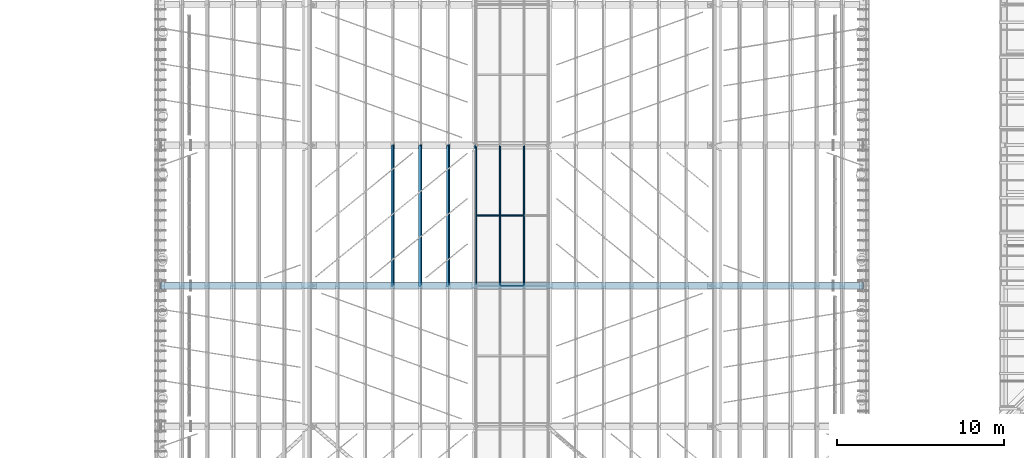
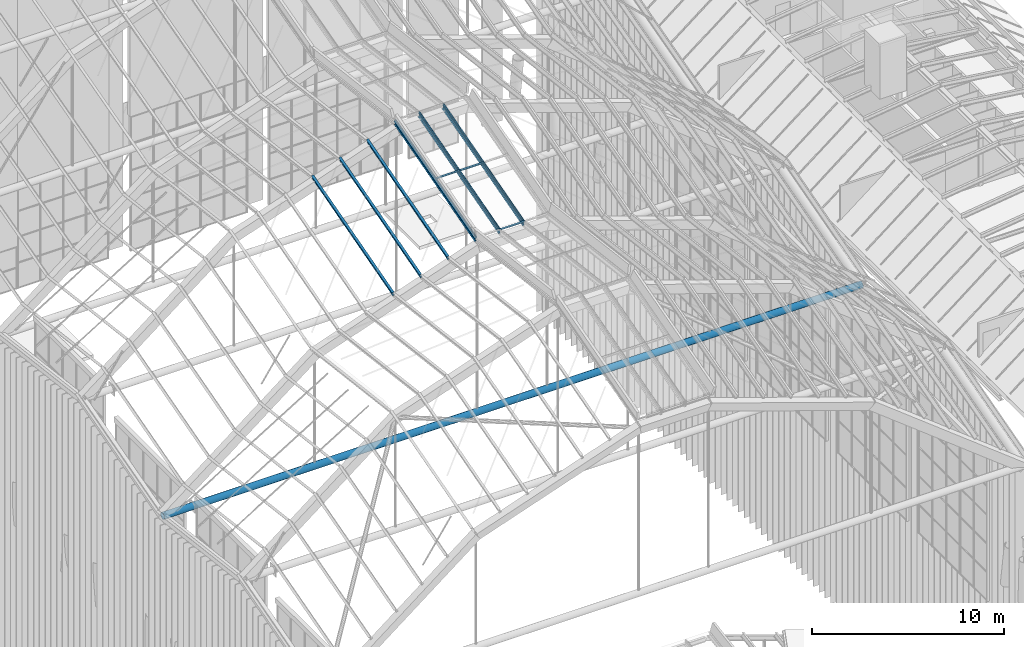
# One storey, part 25 of 126: 13 members.
"""IFC4 building model written with IfcOpenShell, lengths in metres."""

from ifc_helpers import new_model, si_unit, direction, frame, origin, origin_2d, place, context, subcontext, project, spatial, rectangle, hollow_circle, i_section, extrude, material, material_profile, profile_set, type_object, element, save


model = new_model("IFC4")

# Units and contexts
model_context = context("Model", 3, precision=1e-05, world=origin(), true_north=direction((0.0, 1.0)))
body_context = subcontext(model_context, "Body", "Model", "MODEL_VIEW")
ifc_project = project(units=[si_unit("LENGTHUNIT", "METRE"), si_unit("AREAUNIT", "SQUARE_METRE"), si_unit("VOLUMEUNIT", "CUBIC_METRE"), si_unit("PLANEANGLEUNIT", "RADIAN"), si_unit("MASSUNIT", "GRAM", prefix="KILO")], contexts=[model_context])

# Site, building, storey
site_placement = place(None, origin())
site = spatial("IfcSite", under=ifc_project, at=site_placement, CompositionType="ELEMENT")
building_placement = place(site_placement, origin())
building = spatial("IfcBuilding", under=site, at=building_placement, Name="Sava Quay Ferry Terminal", CompositionType="ELEMENT")
storey_placement = place(building_placement, frame((0.0, 0.0, 15.0)))
storey = spatial("IfcBuildingStorey", under=building, at=storey_placement, Name="L03", CompositionType="ELEMENT", Elevation=15.0)

# Members
ifc_material_1 = material(Name="Steel S355", Category="steel")
ifc_material_profile_1 = material_profile(ifc_material_1, hollow_circle(Radius=0.203125, WallThickness=0.01611328125, at=origin_2d()), Name="CHS 406.4 x 16.0")
ifc_profile_set_1 = profile_set([ifc_material_profile_1], Name="Steel S355")
member_type_1 = type_object("IfcMemberType", Name="D arch tie CHS 406.4x16", PredefinedType="USERDEFINED", material=ifc_profile_set_1)
member_1_placement = place(storey_placement, frame((42.0, 67.199951171875, 9.714111328125), z_axis=(1.0, 0.0, 0.0), x_axis=(0.0, 1.0, 0.0)))
element("IfcMember", 1, at=member_1_placement, inside=storey, type_object=member_type_1, Name="Departure hall arch tie R2", ObjectType="ARCH TIE", PredefinedType="USERDEFINED", context=body_context, shape_type="SweptSolid", body=[
    extrude(hollow_circle(Radius=0.203125, WallThickness=0.01611328125, at=origin_2d()), origin(), (0.0, 0.0, 1.0), 42.0),
])
ifc_material_2 = material(Name="Aluminium EN AW-6063 T6", Category="aluminium")
ifc_material_profile_2 = material_profile(ifc_material_2, rectangle(XDim=0.06005859375, YDim=0.06005859375, at=origin_2d()), Name="Bar 60 x 60")
ifc_profile_set_2 = profile_set([ifc_material_profile_2], Name="Aluminium EN AW-6063 T6")
member_type_2 = type_object("IfcMemberType", Name="Glazing bar 60x60", PredefinedType="USERDEFINED", material=ifc_profile_set_2)
for number, where, z_axis, x_axis, name in (
    (2, (60.85302734375, 67.199951171875, 20.83447265625), (0.0, 0.962818275279, 0.270149900588), (-1.0, 0.0, 0.0), "Departure hall glazing bar D-B2-GL2.0"),
    (3, (62.267822265625, 67.199951171875, 20.83447265625), (0.0, 0.962818275279, 0.270149900588), (-1.0, 0.0, 0.0), "Departure hall glazing bar D-B2-GL2.1"),
    (4, (63.732177734375, 67.199951171875, 20.83447265625), (0.0, 0.962818275279, 0.270149900588), (-1.0, 0.0, 0.0), "Departure hall glazing bar D-B2-GL2.2"),
):
    element("IfcMember", number, at=place(storey_placement, frame(where, z_axis=z_axis, x_axis=x_axis)), inside=storey, type_object=member_type_2, Name=name, ObjectType="GLAZING BAR", PredefinedType="USERDEFINED", context=body_context, shape_type="SweptSolid", body=[
        extrude(rectangle(XDim=0.06005859375, YDim=0.06005859375, at=origin_2d()), origin(), (0.0, 0.0, 1.0), 8.724609375),
    ])
member_2_placement = place(storey_placement, frame((62.296630859375, 67.199951171875, 20.81298828125), z_axis=(1.0, 0.0, 0.0), x_axis=(0.0, 0.962815070048, 0.270161323822)))
element("IfcMember", 5, at=member_2_placement, inside=storey, type_object=member_type_2, Name="Departure hall glazing bar D-R2-GT2.1", ObjectType="GLAZING BAR", PredefinedType="USERDEFINED", context=body_context, shape_type="SweptSolid", body=[
    extrude(rectangle(XDim=0.06005859375, YDim=0.06005859375, at=origin_2d()), origin(), (0.0, 0.0, 1.0), 1.40673828125),
])
member_3_placement = place(storey_placement, frame((60.883056640625, 71.39990234375, 22.012939453125), z_axis=(1.0, 0.0, 0.0), x_axis=(0.0, 0.962815070048, 0.270161323822)))
element("IfcMember", 6, at=member_3_placement, inside=storey, type_object=member_type_2, Name="Departure hall glazing bar D-B2M-GT2.0", ObjectType="GLAZING BAR", PredefinedType="USERDEFINED", context=body_context, shape_type="SweptSolid", body=[
    extrude(rectangle(XDim=0.06005859375, YDim=0.06005859375, at=origin_2d()), origin(), (0.0, 0.0, 1.0), 1.354736328125),
])
member_4_placement = place(storey_placement, frame((62.297607421875, 71.39990234375, 22.012939453125), z_axis=(1.0, 0.0, 0.0), x_axis=(0.0, 0.962815070048, 0.270161323822)))
element("IfcMember", 7, at=member_4_placement, inside=storey, type_object=member_type_2, Name="Departure hall glazing bar D-B2M-GT2.1", ObjectType="GLAZING BAR", PredefinedType="USERDEFINED", context=body_context, shape_type="SweptSolid", body=[
    extrude(rectangle(XDim=0.06005859375, YDim=0.06005859375, at=origin_2d()), origin(), (0.0, 0.0, 1.0), 1.40478515625),
])
ifc_material_3 = material(Name="Steel S355", Category="steel")
ifc_material_profile_3 = material_profile(ifc_material_3, i_section(OverallWidth=0.135009765625, OverallDepth=0.27001953125, WebThickness=0.006591796875, FlangeThickness=0.01025390625, at=origin_2d()), Name="IPE 270")
ifc_profile_set_3 = profile_set([ifc_material_profile_3], Name="Steel S355")
member_type_3 = type_object("IfcMemberType", Name="Roof purlin IPE 270", PredefinedType="PURLIN", material=ifc_profile_set_3)
for number, where, z_axis, x_axis, name in (
    (8, (55.877685546875, 67.199951171875, 18.957763671875), (0.0, 0.962810996405, 0.270175841262), (-0.949197315574, 0.085019343141, -0.30297882335), "Departure hall purlin bay 3 M1.3"),
    (9, (57.5283203125, 67.199951171875, 19.526123046875), (0.0, 0.962810996405, 0.270175841262), (-0.949197315574, 0.085019343141, -0.30297882335), "Departure hall purlin bay 3 M1.4"),
    (10, (59.178955078125, 67.199951171875, 20.0947265625), (0.0, 0.962818275279, 0.270149900588), (-0.949197315574, 0.08501118009, -0.302981113877), "Departure hall purlin bay 3 M1.5"),
    (11, (60.829833984375, 67.199951171875, 20.6630859375), (0.0, 0.962818275279, 0.270149900588), (-0.987217634461, 0.043055946895, -0.15345203696), "Departure hall purlin bay 3 V2"),
    (12, (62.276611328125, 67.199951171875, 20.6630859375), (0.0, 0.962818275279, 0.270149900588), (-1.0, 0.0, 0.0), "Departure hall purlin bay 3 M2.1"),
    (13, (63.723388671875, 67.199951171875, 20.6630859375), (0.0, 0.962818275279, 0.270149900588), (-1.0, 0.0, 0.0), "Departure hall purlin bay 3 M2.2"),
):
    element("IfcMember", number, at=place(storey_placement, frame(where, z_axis=z_axis, x_axis=x_axis)), inside=storey, type_object=member_type_3, Name=name, PredefinedType="PURLIN", context=body_context, shape_type="SweptSolid", body=[
        extrude(i_section(OverallWidth=0.135009765625, OverallDepth=0.27001953125, WebThickness=0.006591796875, FlangeThickness=0.01025390625, at=origin_2d()), origin(), (0.0, 0.0, 1.0), 8.724609375),
    ])

save(model, "model.ifc")
